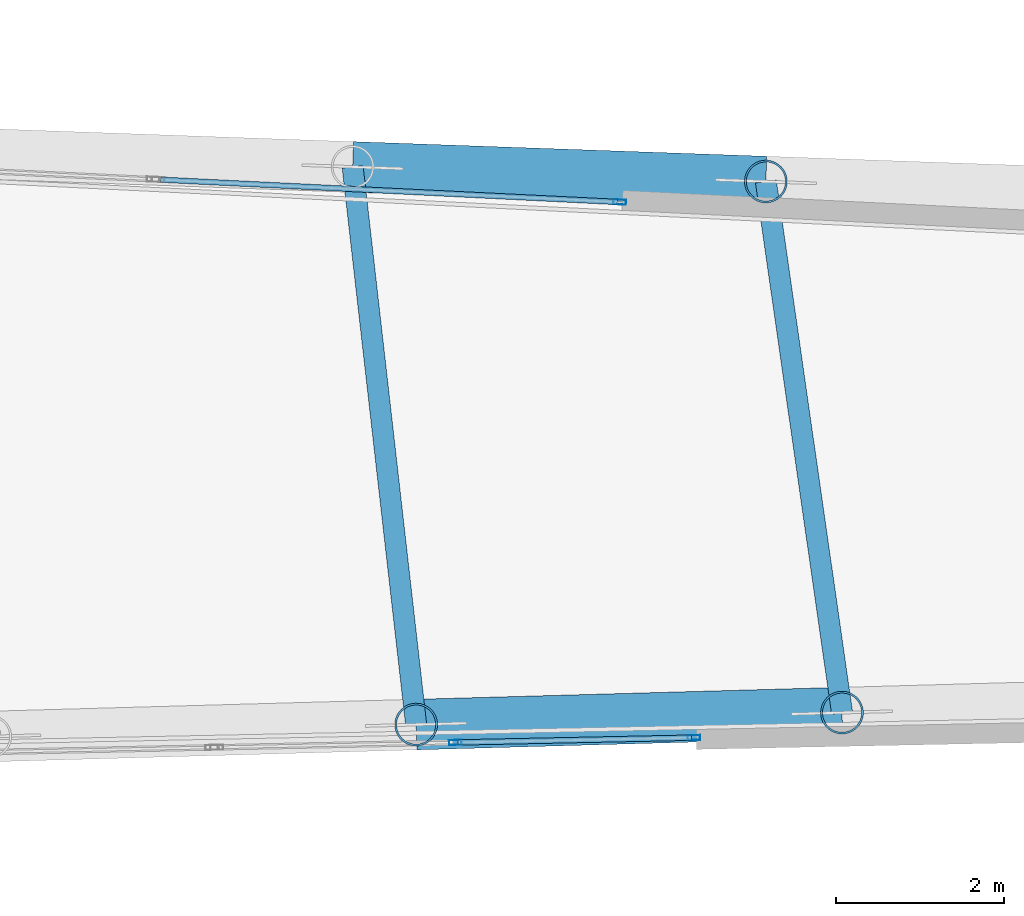
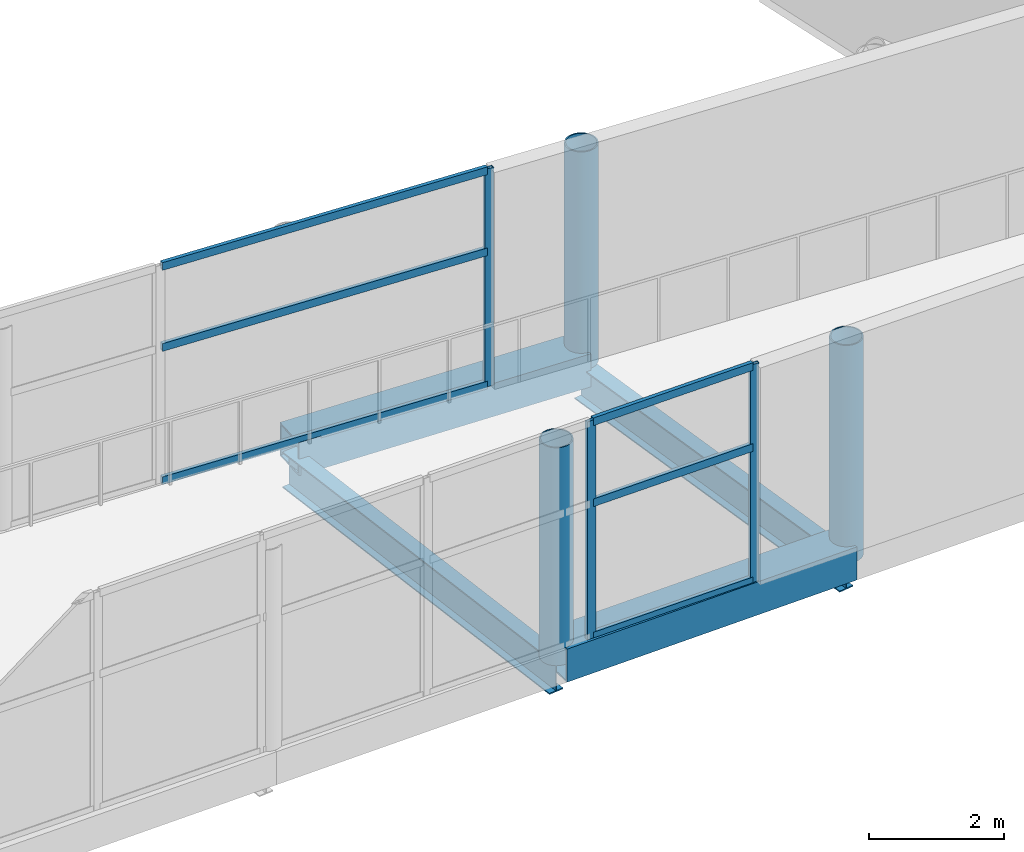
# One storey, part 9 of 23: 14 members, 2 beams, 2 elements without a shape of their own.
"""IFC4 building model written with IfcOpenShell, lengths in metres."""

from ifc_helpers import new_model, si_unit, direction, frame, origin, origin_2d, place, context, subcontext, project, spatial, hollow_rectangle, hollow_circle, i_section, extrude, material, layer, layer_set, material_profile, profile_set, type_object, element, aggregate, save


model = new_model("IFC4")

# Units and contexts
model_context = context("Model", 3, precision=1e-05, world=origin(), true_north=direction((0.0, 1.0)))
body_context = subcontext(model_context, "Body", "Model", "MODEL_VIEW")
ifc_project = project(units=[si_unit("LENGTHUNIT", "METRE"), si_unit("AREAUNIT", "SQUARE_METRE"), si_unit("VOLUMEUNIT", "CUBIC_METRE"), si_unit("PLANEANGLEUNIT", "RADIAN"), si_unit("MASSUNIT", "GRAM", prefix="KILO")], contexts=[model_context])

# Site, building, storey
site_placement = place(None, origin())
site = spatial("IfcSite", under=ifc_project, at=site_placement, CompositionType="ELEMENT")
building_placement = place(site_placement, origin())
building = spatial("IfcBuilding", under=site, at=building_placement, Name="Haevon Station Towers", CompositionType="ELEMENT")
storey_placement = place(building_placement, frame((0.0, 0.0, 197.10009765625)))
storey = spatial("IfcBuildingStorey", under=building, at=storey_placement, Name="L54", CompositionType="ELEMENT", Elevation=197.10009765625)

# Beams
ifc_material_1 = material(Name="Steel S355", Category="steel")
ifc_material_profile_1 = material_profile(ifc_material_1, i_section(OverallWidth=0.25, OverallDepth=0.64990234375, WebThickness=0.012939453125, FlangeThickness=0.02197265625, at=origin_2d()), Name="H-650x250x13x22")
ifc_profile_set_1 = profile_set([ifc_material_profile_1], Name="Steel S355")
beam_type = type_object("IfcBeamType", Name="BM-G650", PredefinedType="BEAM", material=ifc_profile_set_1)
beam_1_placement = place(storey_placement, frame((81.80615234375, 30.70947265625, -0.625), z_axis=(-0.113105344273, 0.993583001614, 0.0), x_axis=(-0.993583001614, -0.113105344273, 0.0)))
element("IfcBeam", 1, at=beam_1_placement, inside=storey, type_object=beam_type, Name="BM-SKP-L54-5", PredefinedType="BEAM", context=body_context, shape_type="SweptSolid", body=[
    extrude(i_section(OverallWidth=0.25, OverallDepth=0.64990234375, WebThickness=0.012939453125, FlangeThickness=0.02197265625, at=origin_2d()), origin(), (0.0, 0.0, 1.0), 6.663330078125),
])
beam_2_placement = place(storey_placement, frame((86.8623046875, 30.851318359375, -0.625), z_axis=(-0.14197405175, 0.989870379711, 0.0), x_axis=(-0.989870379711, -0.14197405175, 0.0)))
element("IfcBeam", 2, at=beam_2_placement, inside=storey, type_object=beam_type, Name="BM-SKP-L54-6", PredefinedType="BEAM", context=body_context, shape_type="SweptSolid", body=[
    extrude(i_section(OverallWidth=0.25, OverallDepth=0.64990234375, WebThickness=0.012939453125, FlangeThickness=0.02197265625, at=origin_2d()), origin(), (0.0, 0.0, 1.0), 6.369384765625),
])

# Members
ifc_material_2 = material(Name="Steel S460", Category="steel")
ifc_material_profile_2 = material_profile(ifc_material_2, hollow_rectangle(XDim=0.60009765625, YDim=0.60009765625, WallThickness=0.030029296875, at=origin_2d()), Name="RHS-600x600x30")
ifc_profile_set_2 = profile_set([ifc_material_profile_2], Name="Steel S460")
member_type_1 = type_object("IfcMemberType", Name="CHSKP-600", PredefinedType="CHORD", material=ifc_profile_set_2)
member_1_placement = place(storey_placement, frame((81.80615234375, 30.70947265625, -0.300048828125), z_axis=(0.999606716423, 0.028043046946, 0.0), x_axis=(-0.028043046946, 0.999606716423, 0.0)))
element("IfcMember", 3, at=member_1_placement, inside=storey, type_object=member_type_1, Name="CH-SKP-S-BOT-6", PredefinedType="CHORD", context=body_context, shape_type="SweptSolid", body=[
    extrude(hollow_rectangle(XDim=0.60009765625, YDim=0.60009765625, WallThickness=0.030029296875, at=origin_2d()), origin(), (0.0, 0.0, 1.0), 5.05810546875),
])
member_2_placement = place(storey_placement, frame((81.052490234375, 37.330078125, -0.300048828125), z_axis=(0.999372763005, -0.035412999913, 0.0), x_axis=(0.035412999913, 0.999372763005, 0.0)))
element("IfcMember", 4, at=member_2_placement, inside=storey, type_object=member_type_1, Name="CH-SKP-N-BOT-6", PredefinedType="CHORD", context=body_context, shape_type="SweptSolid", body=[
    extrude(hollow_rectangle(XDim=0.60009765625, YDim=0.60009765625, WallThickness=0.030029296875, at=origin_2d()), origin(), (0.0, 0.0, 1.0), 4.90869140625),
])

# Curtain wall, members
ifc_material_3 = material(Name="Anodised aluminium and Low-E double glazing", Category="aluminium")
ifc_layer = layer(ifc_material_3, 0.179931640625)
ifc_layer_set = layer_set([ifc_layer], Name="Anodised aluminium and Low-E double glazing")
curtain_wall_type = type_object("IfcCurtainWallType", Name="CW-SYS6", PredefinedType="NOTDEFINED", material=ifc_layer_set)
curtain_wall_1_placement = place(storey_placement, origin())
curtain_wall_1 = element("IfcCurtainWall", 5, at=curtain_wall_1_placement, inside=storey, type_object=curtain_wall_type, Name="L54 Curtain Wall CW-SKP-L54-S3", PredefinedType="NOTDEFINED")
ifc_material_4 = material(Name="Anodised aluminium 6063-T6", Category="aluminium")
ifc_material_profile_3 = material_profile(ifc_material_4, hollow_rectangle(XDim=0.06005859375, YDim=0.14990234375, WallThickness=0.00341796875, at=origin_2d()), Name="CWM-150x60x3.5")
ifc_profile_set_3 = profile_set([ifc_material_profile_3], Name="Anodised aluminium 6063-T6")
member_type_2 = type_object("IfcMemberType", Name="CWM-150", PredefinedType="MULLION", material=ifc_profile_set_3)
member_3_placement = place(storey_placement, frame((82.271728515625, 30.4970703125, 0.0), z_axis=(0.0, 0.0, 1.0), x_axis=(-0.020373506303, 0.99979243858, 0.0)))
member_3 = element("IfcMember", 6, at=member_3_placement, type_object=member_type_2, Name="CW-SYS6 mullion 2", PredefinedType="MULLION", context=body_context, shape_type="SweptSolid", body=[
    extrude(hollow_rectangle(XDim=0.06005859375, YDim=0.14990234375, WallThickness=0.00341796875, at=origin_2d()), origin(), (0.0, 0.0, 1.0), 3.949951171875),
])
member_4_placement = place(storey_placement, frame((85.10400390625, 30.5546875, 0.0), z_axis=(0.0, 0.0, 1.0), x_axis=(-0.020373506303, 0.99979243858, 0.0)))
member_4 = element("IfcMember", 7, at=member_4_placement, type_object=member_type_2, Name="CW-SYS6 mullion 3", PredefinedType="MULLION", context=body_context, shape_type="SweptSolid", body=[
    extrude(hollow_rectangle(XDim=0.06005859375, YDim=0.14990234375, WallThickness=0.00341796875, at=origin_2d()), origin(), (0.0, 0.0, 1.0), 3.949951171875),
])

# Curtain wall, member
curtain_wall_2_placement = place(storey_placement, origin())
curtain_wall_2 = element("IfcCurtainWall", 8, at=curtain_wall_2_placement, inside=storey, type_object=curtain_wall_type, Name="L54 Curtain Wall CW-SKP-L54-N3", PredefinedType="NOTDEFINED")
member_5_placement = place(storey_placement, frame((84.2236328125, 36.912353515625, 0.0), z_axis=(0.0, 0.0, 1.0), x_axis=(0.048821987934, 0.998807495714, 0.0)))
member_5 = element("IfcMember", 9, at=member_5_placement, type_object=member_type_2, Name="CW-SYS6 mullion 2", PredefinedType="MULLION", context=body_context, shape_type="SweptSolid", body=[
    extrude(hollow_rectangle(XDim=0.06005859375, YDim=0.14990234375, WallThickness=0.00341796875, at=origin_2d()), origin(), (0.0, 0.0, 1.0), 3.949951171875),
])

# Member
ifc_material_profile_4 = material_profile(ifc_material_4, hollow_rectangle(XDim=0.06494140625, YDim=0.139892578125, WallThickness=0.00341796875, at=origin_2d()), Name="CWT-140x65x3.5")
ifc_profile_set_4 = profile_set([ifc_material_profile_4], Name="Anodised aluminium 6063-T6")
member_type_3 = type_object("IfcMemberType", Name="CWT-140", PredefinedType="USERDEFINED", material=ifc_profile_set_4)
member_6_placement = place(storey_placement, frame((82.3017578125, 30.49755859375, 0.032470703125), z_axis=(0.999791341658, 0.020427264753, 0.0), x_axis=(-0.020427264753, 0.999791341658, 0.0)))
member_6 = element("IfcMember", 10, at=member_6_placement, type_object=member_type_3, Name="CW-SYS6 transom 2.1", ObjectType="TRANSOM", PredefinedType="USERDEFINED", context=body_context, shape_type="SweptSolid", body=[
    extrude(hollow_rectangle(XDim=0.06494140625, YDim=0.139892578125, WallThickness=0.00341796875, at=origin_2d()), origin(), (0.0, 0.0, 1.0), 2.772705078125),
])

member_7_placement = place(storey_placement, frame((82.3017578125, 30.49755859375, 2.448974609375), z_axis=(0.999791341658, 0.020427264753, 0.0), x_axis=(-0.020427264753, 0.999791341658, 0.0)))
member_7 = element("IfcMember", 11, at=member_7_placement, type_object=member_type_3, Name="CW-SYS6 transom 2.2", ObjectType="TRANSOM", PredefinedType="USERDEFINED", context=body_context, shape_type="SweptSolid", body=[
    extrude(hollow_rectangle(XDim=0.06494140625, YDim=0.139892578125, WallThickness=0.00341796875, at=origin_2d()), origin(), (0.0, 0.0, 1.0), 2.772705078125),
])

member_8_placement = place(storey_placement, frame((82.3017578125, 30.49755859375, 3.91748046875), z_axis=(0.999791341658, 0.020427264753, 0.0), x_axis=(-0.020427264753, 0.999791341658, 0.0)))
member_8 = element("IfcMember", 12, at=member_8_placement, type_object=member_type_3, Name="CW-SYS6 transom 2.3", ObjectType="TRANSOM", PredefinedType="USERDEFINED", context=body_context, shape_type="SweptSolid", body=[
    extrude(hollow_rectangle(XDim=0.06494140625, YDim=0.139892578125, WallThickness=0.00341796875, at=origin_2d()), origin(), (0.0, 0.0, 1.0), 2.772705078125),
])

aggregate(curtain_wall_1, [member_3, member_4, member_6, member_7, member_8])

member_9_placement = place(storey_placement, frame((78.77392578125, 37.1787109375, 0.032470703125), z_axis=(0.998807807604, -0.048815606813, 0.0), x_axis=(0.048815606813, 0.998807807604, 0.0)))
member_9 = element("IfcMember", 13, at=member_9_placement, type_object=member_type_3, Name="CW-SYS6 transom 1.1", ObjectType="TRANSOM", PredefinedType="USERDEFINED", context=body_context, shape_type="SweptSolid", body=[
    extrude(hollow_rectangle(XDim=0.06494140625, YDim=0.139892578125, WallThickness=0.00341796875, at=origin_2d()), origin(), (0.0, 0.0, 1.0), 5.42626953125),
])

member_10_placement = place(storey_placement, frame((78.77392578125, 37.1787109375, 2.448974609375), z_axis=(0.998807807604, -0.048815606813, 0.0), x_axis=(0.048815606813, 0.998807807604, 0.0)))
member_10 = element("IfcMember", 14, at=member_10_placement, type_object=member_type_3, Name="CW-SYS6 transom 1.2", ObjectType="TRANSOM", PredefinedType="USERDEFINED", context=body_context, shape_type="SweptSolid", body=[
    extrude(hollow_rectangle(XDim=0.06494140625, YDim=0.139892578125, WallThickness=0.00341796875, at=origin_2d()), origin(), (0.0, 0.0, 1.0), 5.42626953125),
])

member_11_placement = place(storey_placement, frame((78.77392578125, 37.1787109375, 3.91748046875), z_axis=(0.998807807604, -0.048815606813, 0.0), x_axis=(0.048815606813, 0.998807807604, 0.0)))
member_11 = element("IfcMember", 15, at=member_11_placement, type_object=member_type_3, Name="CW-SYS6 transom 1.3", ObjectType="TRANSOM", PredefinedType="USERDEFINED", context=body_context, shape_type="SweptSolid", body=[
    extrude(hollow_rectangle(XDim=0.06494140625, YDim=0.139892578125, WallThickness=0.00341796875, at=origin_2d()), origin(), (0.0, 0.0, 1.0), 5.42626953125),
])

aggregate(curtain_wall_2, [member_5, member_9, member_10, member_11])

# Members
ifc_material_profile_5 = material_profile(ifc_material_2, hollow_circle(Radius=0.25390625, WallThickness=0.02197265625, at=origin_2d()), Name="CHS-508x22")
ifc_profile_set_5 = profile_set([ifc_material_profile_5], Name="Steel S460")
member_type_4 = type_object("IfcMemberType", Name="PSSKP-508", PredefinedType="POST", material=ifc_profile_set_5)
for number, where, z_axis, x_axis, name in (
    (16, (81.80615234375, 30.70947265625, -0.300048828125), (0.0, 0.0, 1.0), (1.0, 0.0, 0.0), "PS-SKP-S-L54-6"),
    (17, (86.8623046875, 30.851318359375, -0.300048828125), (0.0, 0.0, 1.0), (1.0, 0.0, 0.0), "PS-SKP-S-L54-7"),
    (18, (85.9580078125, 37.15625, -0.300048828125), (0.0, 0.0, 1.0), (1.0, 0.0, 0.0), "PS-SKP-N-L54-7"),
):
    element("IfcMember", number, at=place(storey_placement, frame(where, z_axis=z_axis, x_axis=x_axis)), inside=storey, type_object=member_type_4, Name=name, PredefinedType="POST", context=body_context, shape_type="SweptSolid", body=[
        extrude(hollow_circle(Radius=0.25390625, WallThickness=0.02197265625, at=origin_2d()), origin(), (0.0, 0.0, 1.0), 3.949951171875),
    ])

save(model, "model.ifc")
